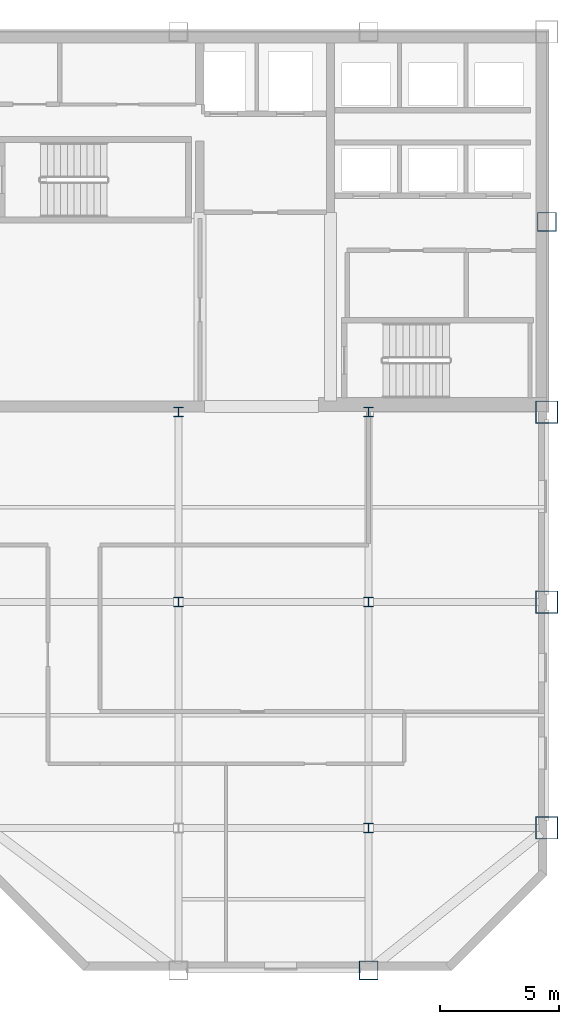
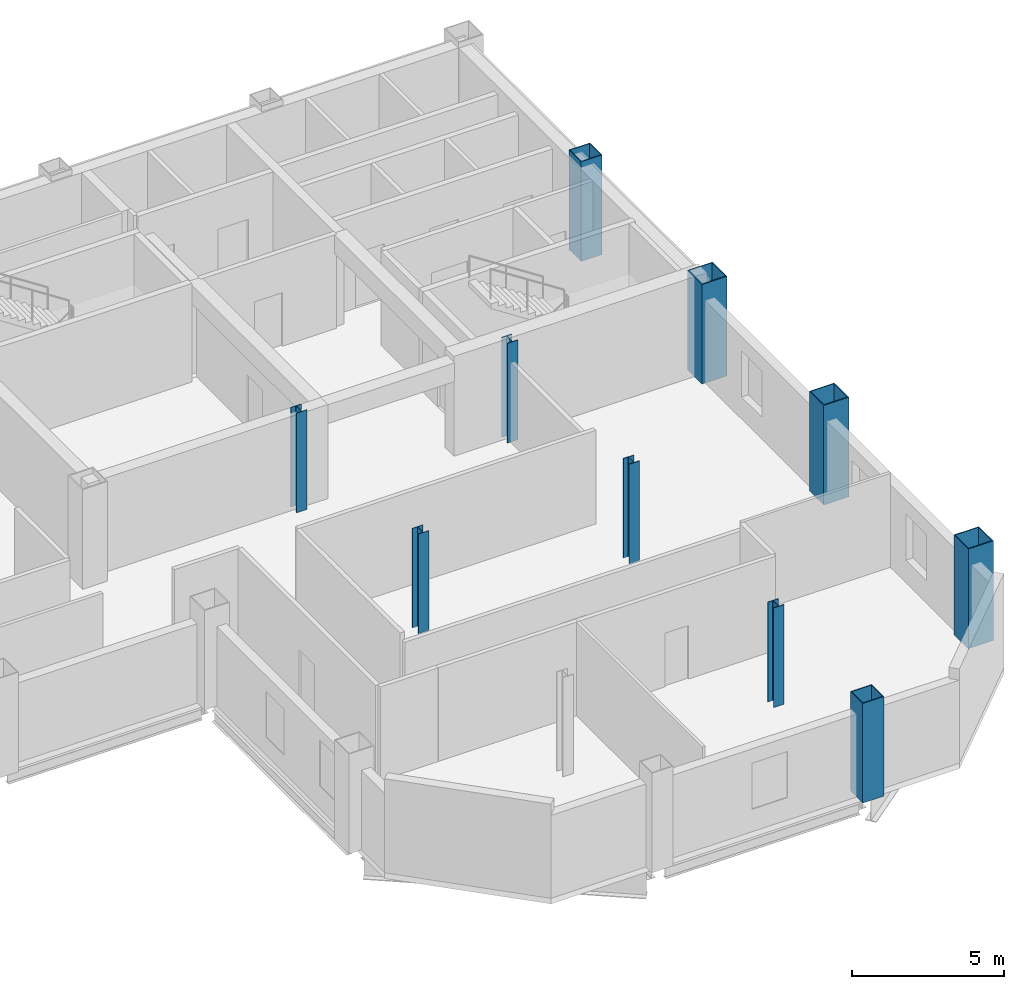
# One storey, part 2 of 10: 10 columns.
"""IFC4 building model written with IfcOpenShell, lengths in metres."""

from ifc_helpers import new_model, si_unit, direction, frame, origin, origin_2d, place, context, subcontext, project, spatial, hollow_rectangle, i_section, extrude, material, material_profile, profile_set, type_object, element, save


model = new_model("IFC4")

# Units and contexts
model_context = context("Model", 3, precision=1e-05, world=origin(), true_north=direction((0.0, 1.0)))
body_context = subcontext(model_context, "Body", "Model", "MODEL_VIEW")
ifc_project = project(units=[si_unit("LENGTHUNIT", "METRE"), si_unit("AREAUNIT", "SQUARE_METRE"), si_unit("VOLUMEUNIT", "CUBIC_METRE"), si_unit("PLANEANGLEUNIT", "RADIAN"), si_unit("MASSUNIT", "GRAM", prefix="KILO")], contexts=[model_context])

# Site, building, storey
site_placement = place(None, origin())
site = spatial("IfcSite", under=ifc_project, at=site_placement, CompositionType="ELEMENT")
building_placement = place(site_placement, origin())
building = spatial("IfcBuilding", under=site, at=building_placement, Name="Qianrong Seaharbour Tower", CompositionType="ELEMENT")
storey_placement = place(building_placement, frame((0.0, 0.0, 229.800048828125)))
storey = spatial("IfcBuildingStorey", under=building, at=storey_placement, Name="L55", CompositionType="ELEMENT", Elevation=229.800048828125)

# Columns
ifc_material = material(Name="Structural steel SN490B", Category="steel")
ifc_material_profile_1 = material_profile(ifc_material, hollow_rectangle(XDim=0.949951171875, YDim=0.949951171875, WallThickness=0.035888671875, at=origin_2d()), Name="BOX950x950x36")
ifc_profile_set_1 = profile_set([ifc_material_profile_1], Name="Structural steel SN490B")
column_type_1 = type_object("IfcColumnType", Name="COL-CFT-950", PredefinedType="COLUMN", material=ifc_profile_set_1)
for number, where, z_axis, x_axis, name in (
    (1, (64.0, 18.5, 0.0), (0.0, 0.0, 1.0), (1.0, 0.0, 0.0), "L55 Column MC-4 at G9/GD"),
    (2, (64.0, 28.0, 0.0), (0.0, 0.0, 1.0), (1.0, 0.0, 0.0), "L55 Column MC-4 at G9/GE"),
    (3, (64.0, 36.0, 0.0), (0.0, 0.0, 1.0), (1.0, 0.0, 0.0), "L55 Column MC-4 at G9/GF"),
):
    element("IfcColumn", number, at=place(storey_placement, frame(where, z_axis=z_axis, x_axis=x_axis)), inside=storey, type_object=column_type_1, Name=name, PredefinedType="COLUMN", context=body_context, shape_type="SweptSolid", body=[
        extrude(hollow_rectangle(XDim=0.949951171875, YDim=0.949951171875, WallThickness=0.035888671875, at=origin_2d()), origin(), (0.0, 0.0, 1.0), 4.0),
    ])
ifc_material_profile_2 = material_profile(ifc_material, i_section(OverallWidth=0.39990234375, OverallDepth=0.39990234375, WebThickness=0.012939453125, FlangeThickness=0.02099609375, FilletRadius=0.02197265625, at=origin_2d()), Name="H400x400x13x21")
ifc_profile_set_2 = profile_set([ifc_material_profile_2], Name="Structural steel SN490B")
column_type_2 = type_object("IfcColumnType", Name="COL-INT-H400", PredefinedType="COLUMN", material=ifc_profile_set_2)
for number, where, z_axis, x_axis, name in (
    (4, (48.5, 28.0, 0.0), (0.0, 0.0, 1.0), (1.0, 0.0, 0.0), "L55 Column IC-3 at G7/GE"),
    (5, (48.5, 36.0, 0.0), (0.0, 0.0, 1.0), (1.0, 0.0, 0.0), "L55 Column IC-3 at G7/GF"),
    (6, (56.5, 18.5, 0.0), (0.0, 0.0, 1.0), (1.0, 0.0, 0.0), "L55 Column IC-3 at G8/GD"),
    (7, (56.5, 28.0, 0.0), (0.0, 0.0, 1.0), (1.0, 0.0, 0.0), "L55 Column IC-3 at G8/GE"),
    (8, (56.5, 36.0, 0.0), (0.0, 0.0, 1.0), (1.0, 0.0, 0.0), "L55 Column IC-3 at G8/GF"),
):
    element("IfcColumn", number, at=place(storey_placement, frame(where, z_axis=z_axis, x_axis=x_axis)), inside=storey, type_object=column_type_2, Name=name, PredefinedType="COLUMN", context=body_context, shape_type="SweptSolid", body=[
        extrude(i_section(OverallWidth=0.39990234375, OverallDepth=0.39990234375, WebThickness=0.012939453125, FlangeThickness=0.02099609375, FilletRadius=0.02197265625, at=origin_2d()), origin(), (0.0, 0.0, 1.0), 4.0),
    ])
ifc_material_profile_3 = material_profile(ifc_material, hollow_rectangle(XDim=0.800048828125, YDim=0.800048828125, WallThickness=0.031982421875, at=origin_2d()), Name="BOX800x800x32")
ifc_profile_set_3 = profile_set([ifc_material_profile_3], Name="Structural steel SN490B")
column_type_3 = type_object("IfcColumnType", Name="COL-PER-800", PredefinedType="COLUMN", material=ifc_profile_set_3)
for number, where, z_axis, x_axis, name in (
    (9, (56.5, 12.5, 0.0), (0.0, 0.0, 1.0), (1.0, 0.0, 0.0), "L55 Column PC-3 at G8/GC"),
    (10, (64.0, 44.0, 0.0), (0.0, 0.0, 1.0), (1.0, 0.0, 0.0), "L55 Column PC-3 at G9/GG"),
):
    element("IfcColumn", number, at=place(storey_placement, frame(where, z_axis=z_axis, x_axis=x_axis)), inside=storey, type_object=column_type_3, Name=name, PredefinedType="COLUMN", context=body_context, shape_type="SweptSolid", body=[
        extrude(hollow_rectangle(XDim=0.800048828125, YDim=0.800048828125, WallThickness=0.031982421875, at=origin_2d()), origin(), (0.0, 0.0, 1.0), 4.0),
    ])

save(model, "model.ifc")
